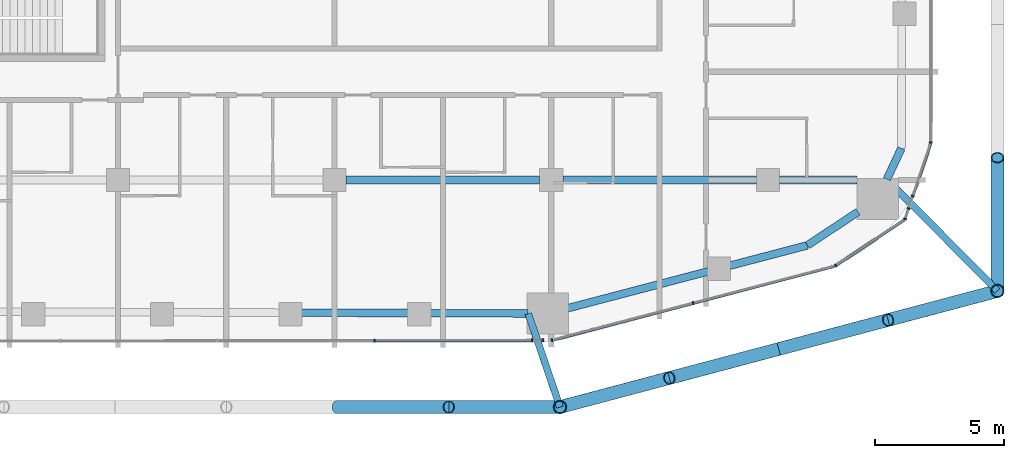
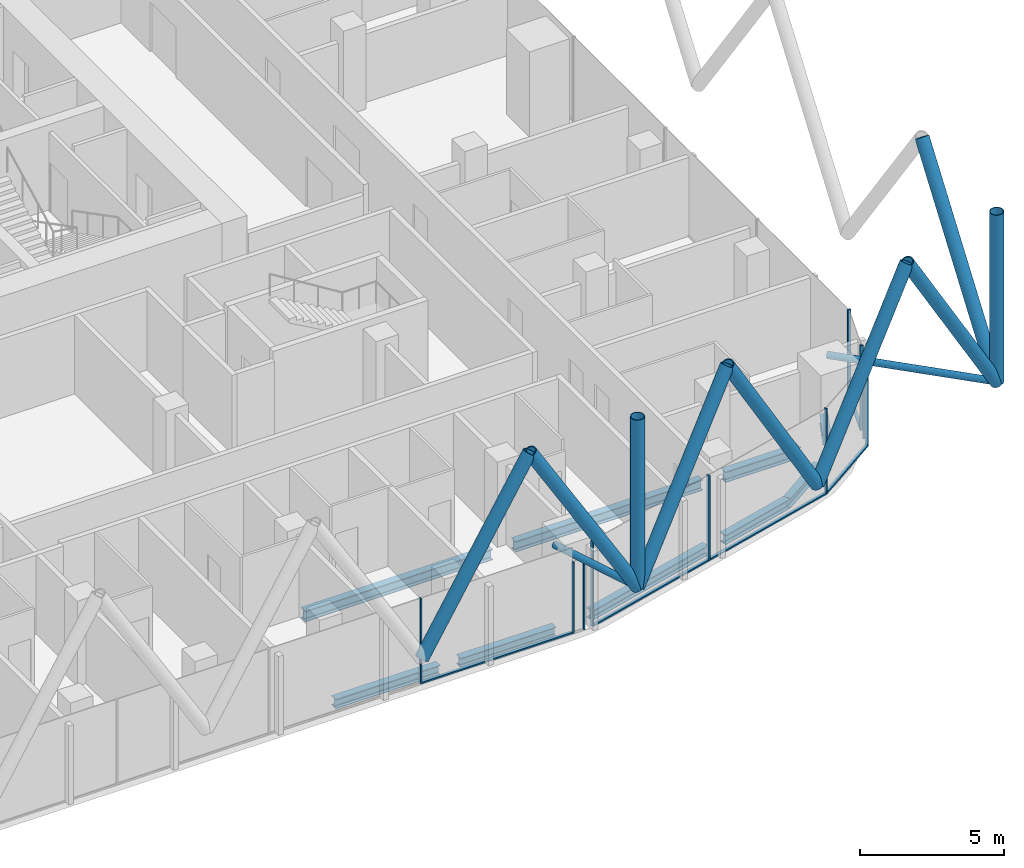
# One storey, part 6 of 33: 26 members, 9 beams, 8 elements without a shape of their own.
"""IFC4 building model written with IfcOpenShell, lengths in metres."""

from ifc_helpers import new_model, si_unit, direction, frame, origin, origin_2d, place, context, subcontext, project, spatial, rectangle, hollow_circle, i_section, extrude, material, layer, layer_set, material_profile, profile_set, type_object, element, aggregate, save


model = new_model("IFC4")

# Units and contexts
model_context = context("Model", 3, precision=1e-05, world=origin(), true_north=direction((0.0, 1.0)))
body_context = subcontext(model_context, "Body", "Model", "MODEL_VIEW")
ifc_project = project(units=[si_unit("LENGTHUNIT", "METRE"), si_unit("AREAUNIT", "SQUARE_METRE"), si_unit("VOLUMEUNIT", "CUBIC_METRE"), si_unit("PLANEANGLEUNIT", "RADIAN"), si_unit("MASSUNIT", "GRAM", prefix="KILO")], contexts=[model_context])

# Site, building, storey
site_placement = place(None, origin())
site = spatial("IfcSite", under=ifc_project, at=site_placement, CompositionType="ELEMENT")
building_placement = place(site_placement, origin())
building = spatial("IfcBuilding", under=site, at=building_placement, Name="Marenta Gate Hotel Tower", CompositionType="ELEMENT")
storey_placement = place(building_placement, frame((0.0, 0.0, 108.5)))
storey = spatial("IfcBuildingStorey", under=building, at=storey_placement, Name="L23", CompositionType="ELEMENT", Elevation=108.5)

# Members
ifc_material_1 = material(Name="Steel S355J2W", Category="steel")
ifc_material_profile_1 = material_profile(ifc_material_1, hollow_circle(Radius=0.25390625, WallThickness=0.02490234375, at=origin_2d()), Name="CHS 508x25")
ifc_profile_set_1 = profile_set([ifc_material_profile_1], Name="Steel S355J2W")
member_type_1 = type_object("IfcMemberType", Name="Diagrid corner post Z2 CHS 508x25", PredefinedType="POST", material=ifc_profile_set_1)
for number, where, z_axis, x_axis, name in (
    (1, (29.89990234375, -21.10009765625, 3.139892578125), (0.0, 0.0, 1.0), (1.0, 0.0, 0.0), "L23-DR-2"),
    (2, (12.93896484375, -25.60009765625, 3.139892578125), (0.0, 0.0, 1.0), (1.0, 0.0, 0.0), "L23-DR-3"),
):
    element("IfcMember", number, at=place(storey_placement, frame(where, z_axis=z_axis, x_axis=x_axis)), inside=storey, type_object=member_type_1, Name=name, PredefinedType="POST", context=body_context, shape_type="SweptSolid", body=[
        extrude(hollow_circle(Radius=0.25390625, WallThickness=0.02490234375, at=origin_2d()), origin(), (0.0, 0.0, 1.0), 7.2001953125),
    ])
ifc_material_2 = material(Name="Steel S355J2W", Category="steel")
ifc_material_profile_2 = material_profile(ifc_material_2, hollow_circle(Radius=0.25390625, WallThickness=0.0400390625, at=origin_2d()), Name="CHS 508x40")
ifc_profile_set_2 = profile_set([ifc_material_profile_2], Name="Steel S355J2W")
member_type_2 = type_object("IfcMemberType", Name="Diagrid diagonal Z2 CHS 508x40", PredefinedType="BRACE", material=ifc_profile_set_2)
member_1_placement = place(storey_placement, frame((29.89990234375, -21.10009765625, 3.139892578125), z_axis=(0.0, 0.583247791947, 0.812294289767), x_axis=(-1.0, 0.0, 0.0)))
element("IfcMember", 3, at=member_1_placement, inside=storey, type_object=member_type_2, Name="L23-DG-10", PredefinedType="BRACE", context=body_context, shape_type="SweptSolid", body=[
    extrude(hollow_circle(Radius=0.25390625, WallThickness=0.0400390625, at=origin_2d()), origin(), (0.0, 0.0, 1.0), 8.864013671875),
])
member_2_placement = place(storey_placement, frame((29.89990234375, -21.10009765625, 3.139892578125), z_axis=(-0.502889949368, -0.133432192474, 0.853989197142), x_axis=(0.256456982503, -0.966555645644, 0.0)))
element("IfcMember", 4, at=member_2_placement, inside=storey, type_object=member_type_2, Name="L23-DG-11", PredefinedType="BRACE", context=body_context, shape_type="SweptSolid", body=[
    extrude(hollow_circle(Radius=0.25390625, WallThickness=0.0400390625, at=origin_2d()), origin(), (0.0, 0.0, 1.0), 8.43115234375),
])
for number, where, z_axis, x_axis, name in (
    (5, (21.41943359375, -23.35009765625, 3.139892578125), (0.502933214587, 0.13342830634, 0.853964325211), (-0.256429393985, 0.966562965306, 0.0), "L23-DG-12"),
    (6, (21.41943359375, -23.35009765625, 3.139892578125), (-0.50291158245, -0.13343024942, 0.853976761263), (0.256443187528, -0.96655930577, 0.0), "L23-DG-13"),
    (7, (12.93896484375, -25.60009765625, 3.139892578125), (0.50291158245, 0.13343024942, 0.853976761263), (-0.256443187528, 0.96655930577, 0.0), "L23-DG-14"),
):
    element("IfcMember", number, at=place(storey_placement, frame(where, z_axis=z_axis, x_axis=x_axis)), inside=storey, type_object=member_type_2, Name=name, PredefinedType="BRACE", context=body_context, shape_type="SweptSolid", body=[
        extrude(hollow_circle(Radius=0.25390625, WallThickness=0.0400390625, at=origin_2d()), origin(), (0.0, 0.0, 1.0), 8.431396484375),
    ])
for number, where, z_axis, x_axis, name in (
    (8, (12.93896484375, -25.60009765625, 3.139892578125), (-0.513871079492, 0.0, 0.857867421961), (0.0, -1.0, 0.0), "L23-DG-15"),
    (9, (4.31298828125, -25.60009765625, 3.139892578125), (0.513871079492, 0.0, 0.857867421961), (0.0, 1.0, 0.0), "L23-DG-16"),
):
    element("IfcMember", number, at=place(storey_placement, frame(where, z_axis=z_axis, x_axis=x_axis)), inside=storey, type_object=member_type_2, Name=name, PredefinedType="BRACE", context=body_context, shape_type="SweptSolid", body=[
        extrude(hollow_circle(Radius=0.25390625, WallThickness=0.0400390625, at=origin_2d()), origin(), (0.0, 0.0, 1.0), 8.39306640625),
    ])

# Beams
ifc_material_3 = material(Name="Steel S355", Category="steel")
ifc_material_profile_3 = material_profile(ifc_material_3, i_section(OverallWidth=0.300048828125, OverallDepth=0.39990234375, WebThickness=0.013427734375, FlangeThickness=0.02392578125, FilletRadius=0.027099609375, at=origin_2d()), Name="HEB 400")
ifc_profile_set_3 = profile_set([ifc_material_profile_3], Name="Steel S355")
beam_type_1 = type_object("IfcBeamType", Name="Edge beam HEB 400", PredefinedType="SPANDREL", material=ifc_profile_set_3)
beam_1_placement = place(storey_placement, frame((26.175048828125, -15.567138671875, -0.4599609375), z_axis=(-0.423207780269, -0.906032656541, 0.0), x_axis=(0.906032656541, -0.423207780269, 0.0)))
element("IfcBeam", 10, at=beam_1_placement, inside=storey, type_object=beam_type_1, Name="L23-EB-28", PredefinedType="SPANDREL", context=body_context, shape_type="SweptSolid", body=[
    extrude(i_section(OverallWidth=0.300048828125, OverallDepth=0.39990234375, WebThickness=0.013427734375, FlangeThickness=0.02392578125, FilletRadius=0.027099609375, at=origin_2d()), origin(), (0.0, 0.0, 1.0), 1.326904296875),
])
beam_2_placement = place(storey_placement, frame((24.496337890625, -18.0322265625, -0.4599609375), z_axis=(-0.834496060599, -0.551013906217, 0.0), x_axis=(0.551013906217, -0.834496060599, 0.0)))
element("IfcBeam", 11, at=beam_2_placement, inside=storey, type_object=beam_type_1, Name="L23-EB-29", PredefinedType="SPANDREL", context=body_context, shape_type="SweptSolid", body=[
    extrude(i_section(OverallWidth=0.300048828125, OverallDepth=0.39990234375, WebThickness=0.013427734375, FlangeThickness=0.02392578125, FilletRadius=0.027099609375, at=origin_2d()), origin(), (0.0, 0.0, 1.0), 2.357177734375),
])
beam_3_placement = place(storey_placement, frame((22.529296875, -19.3310546875, -0.4599609375), z_axis=(-0.967224706208, -0.25392197168, 0.0), x_axis=(0.25392197168, -0.967224706208, 0.0)))
element("IfcBeam", 12, at=beam_3_placement, inside=storey, type_object=beam_type_1, Name="L23-EB-30", PredefinedType="SPANDREL", context=body_context, shape_type="SweptSolid", body=[
    extrude(i_section(OverallWidth=0.300048828125, OverallDepth=0.39990234375, WebThickness=0.013427734375, FlangeThickness=0.02392578125, FilletRadius=0.027099609375, at=origin_2d()), origin(), (0.0, 0.0, 1.0), 3.11328125),
])
beam_4_placement = place(storey_placement, frame((18.695556640625, -20.33740234375, -0.4599609375), z_axis=(-0.96723321901, -0.253889542999, 0.0), x_axis=(0.253889542999, -0.96723321901, 0.0)))
element("IfcBeam", 13, at=beam_4_placement, inside=storey, type_object=beam_type_1, Name="L23-EB-31", PredefinedType="SPANDREL", context=body_context, shape_type="SweptSolid", body=[
    extrude(i_section(OverallWidth=0.300048828125, OverallDepth=0.39990234375, WebThickness=0.013427734375, FlangeThickness=0.02392578125, FilletRadius=0.027099609375, at=origin_2d()), origin(), (0.0, 0.0, 1.0), 5.6533203125),
])
beam_5_placement = place(storey_placement, frame((11.706298828125, -21.97021484375, -0.4599609375), z_axis=(-0.999994883969, 0.003198755307, 0.0), x_axis=(-0.003198755307, -0.999994883969, 0.0)))
element("IfcBeam", 14, at=beam_5_placement, inside=storey, type_object=beam_type_1, Name="L23-EB-32", PredefinedType="SPANDREL", context=body_context, shape_type="SweptSolid", body=[
    extrude(i_section(OverallWidth=0.300048828125, OverallDepth=0.39990234375, WebThickness=0.013427734375, FlangeThickness=0.02392578125, FilletRadius=0.027099609375, at=origin_2d()), origin(), (0.0, 0.0, 1.0), 3.816162109375),
])
beam_6_placement = place(storey_placement, frame((7.070068359375, -21.955322265625, -0.4599609375), z_axis=(-0.999994807487, 0.003222576575, 0.0), x_axis=(-0.003222576575, -0.999994807487, 0.0)))
element("IfcBeam", 15, at=beam_6_placement, inside=storey, type_object=beam_type_1, Name="L23-EB-33", PredefinedType="SPANDREL", context=body_context, shape_type="SweptSolid", body=[
    extrude(i_section(OverallWidth=0.300048828125, OverallDepth=0.39990234375, WebThickness=0.013427734375, FlangeThickness=0.02392578125, FilletRadius=0.027099609375, at=origin_2d()), origin(), (0.0, 0.0, 1.0), 4.166748046875),
])

# Members
ifc_material_4 = material(Name="Steel S355J2W", Category="steel")
ifc_material_profile_4 = material_profile(ifc_material_4, hollow_circle(Radius=0.136474609375, WallThickness=0.012451171875, at=origin_2d()), Name="CHS 273x12.5")
ifc_profile_set_4 = profile_set([ifc_material_profile_4], Name="Steel S355J2W")
member_type_3 = type_object("IfcMemberType", Name="Floor tie CHS 273x12.5", PredefinedType="STRUT", material=ifc_profile_set_4)
member_3_placement = place(storey_placement, frame((29.89990234375, -21.10009765625, 3.139892578125), z_axis=(-0.703467207322, 0.710727717359, 0.0), x_axis=(-0.710727717359, -0.703467207322, 0.0)))
element("IfcMember", 16, at=member_3_placement, inside=storey, type_object=member_type_3, Name="L23-DR-8", PredefinedType="STRUT", context=body_context, shape_type="SweptSolid", body=[
    extrude(hollow_circle(Radius=0.136474609375, WallThickness=0.012451171875, at=origin_2d()), origin(), (0.0, 0.0, 1.0), 6.086181640625),
])
member_4_placement = place(storey_placement, frame((12.93896484375, -25.60009765625, 3.139892578125), z_axis=(-0.321582426358, 0.94688158872, 0.0), x_axis=(-0.94688158872, -0.321582426358, 0.0)))
element("IfcMember", 17, at=member_4_placement, inside=storey, type_object=member_type_3, Name="L23-DR-9", PredefinedType="STRUT", context=body_context, shape_type="SweptSolid", body=[
    extrude(hollow_circle(Radius=0.136474609375, WallThickness=0.012451171875, at=origin_2d()), origin(), (0.0, 0.0, 1.0), 3.826171875),
])

# Beams
ifc_material_5 = material(Name="Steel S355", Category="steel")
ifc_material_profile_5 = material_profile(ifc_material_5, i_section(OverallWidth=0.300048828125, OverallDepth=0.449951171875, WebThickness=0.013916015625, FlangeThickness=0.02587890625, FilletRadius=0.027099609375, at=origin_2d()), Name="HEB 450")
ifc_profile_set_5 = profile_set([ifc_material_profile_5], Name="Steel S355")
beam_type_2 = type_object("IfcBeamType", Name="Girder HEB 450", PredefinedType="BEAM", material=ifc_profile_set_5)
for number, where, z_axis, x_axis, name in (
    (18, (4.64990234375, -16.800048828125, -0.485107421875), (1.0, 0.0, 0.0), (0.0, 1.0, 0.0), "L23-GD-5"),
    (19, (13.050048828125, -16.800048828125, -0.485107421875), (1.0, 0.0, 0.0), (0.0, 1.0, 0.0), "L23-GD-6"),
):
    element("IfcBeam", number, at=place(storey_placement, frame(where, z_axis=z_axis, x_axis=x_axis)), inside=storey, type_object=beam_type_2, Name=name, PredefinedType="BEAM", context=body_context, shape_type="SweptSolid", body=[
        extrude(i_section(OverallWidth=0.300048828125, OverallDepth=0.449951171875, WebThickness=0.013916015625, FlangeThickness=0.02587890625, FilletRadius=0.027099609375, at=origin_2d()), origin(), (0.0, 0.0, 1.0), 7.5),
    ])
beam_7_placement = place(storey_placement, frame((21.449951171875, -16.800048828125, -0.485107421875), z_axis=(1.0, 0.0, 0.0), x_axis=(0.0, 1.0, 0.0)))
element("IfcBeam", 20, at=beam_7_placement, inside=storey, type_object=beam_type_2, Name="L23-GD-7", PredefinedType="BEAM", context=body_context, shape_type="SweptSolid", body=[
    extrude(i_section(OverallWidth=0.300048828125, OverallDepth=0.449951171875, WebThickness=0.013916015625, FlangeThickness=0.02587890625, FilletRadius=0.027099609375, at=origin_2d()), origin(), (0.0, 0.0, 1.0), 3.012939453125),
])

# Curtain wall, member
ifc_material_6 = material(Name="Tinted insulated glass in bronze anodised frame", Category="glass")
ifc_layer = layer(ifc_material_6, 0.1201171875)
ifc_layer_set = layer_set([ifc_layer], Name="Tinted insulated glass in bronze anodised frame")
curtain_wall_type = type_object("IfcCurtainWallType", Name="Tower unitised curtain wall CW1", PredefinedType="NOTDEFINED", material=ifc_layer_set)
curtain_wall_1_placement = place(storey_placement, origin())
curtain_wall_1 = element("IfcCurtainWall", 21, at=curtain_wall_1_placement, inside=storey, type_object=curtain_wall_type, Name="CW1 run G12", PredefinedType="NOTDEFINED")
ifc_material_7 = material(Name="Bronze anodised aluminium", Category="aluminium")
ifc_material_profile_6 = material_profile(ifc_material_7, rectangle(XDim=0.1201171875, YDim=0.06005859375, at=origin_2d()), Name="Mullion CW1 60x120 bronze anodised aluminium")
ifc_profile_set_6 = profile_set([ifc_material_profile_6], Name="Bronze anodised aluminium")
member_type_4 = type_object("IfcMemberType", Name="Mullion CW1 60x120 bronze anodised aluminium", PredefinedType="MULLION", material=ifc_profile_set_6)
member_5_placement = place(storey_placement, frame((5.73974609375, -23.022705078125, 0.0), z_axis=(0.0, 0.0, 1.0), x_axis=(-0.00136470383, 0.999999068791, 0.0)))
member_5 = element("IfcMember", 22, at=member_5_placement, type_object=member_type_4, Name="CW1 mullion 4", PredefinedType="MULLION", context=body_context, shape_type="SweptSolid", body=[
    extrude(rectangle(XDim=0.1201171875, YDim=0.06005859375, at=origin_2d()), origin(), (0.0, 0.0, 1.0), 3.60009765625),
])

# Curtain wall, members
curtain_wall_2_placement = place(storey_placement, origin())
curtain_wall_2 = element("IfcCurtainWall", 23, at=curtain_wall_2_placement, inside=storey, type_object=curtain_wall_type, Name="CW1 run G13", PredefinedType="NOTDEFINED")
member_6_placement = place(storey_placement, frame((11.851806640625, -23.01416015625, 0.0), z_axis=(0.0, 0.0, 1.0), x_axis=(-0.001254704164, 0.999999212858, 0.0)))
member_6 = element("IfcMember", 24, at=member_6_placement, type_object=member_type_4, Name="CW1 mullion 1", PredefinedType="MULLION", context=body_context, shape_type="SweptSolid", body=[
    extrude(rectangle(XDim=0.1201171875, YDim=0.06005859375, at=origin_2d()), origin(), (0.0, 0.0, 1.0), 3.00048828125),
])
member_7_placement = place(storey_placement, frame((12.27001953125, -23.013671875, 0.0), z_axis=(0.0, 0.0, 1.0), x_axis=(-0.001254704164, 0.999999212858, 0.0)))
member_7 = element("IfcMember", 25, at=member_7_placement, type_object=member_type_4, Name="CW1 mullion 2", PredefinedType="MULLION", context=body_context, shape_type="SweptSolid", body=[
    extrude(rectangle(XDim=0.1201171875, YDim=0.06005859375, at=origin_2d()), origin(), (0.0, 0.0, 1.0), 3.00048828125),
])
aggregate(curtain_wall_2, [member_6, member_7])

curtain_wall_3_placement = place(storey_placement, origin())
curtain_wall_3 = element("IfcCurtainWall", 26, at=curtain_wall_3_placement, inside=storey, type_object=curtain_wall_type, Name="CW1 run G14", PredefinedType="NOTDEFINED")
member_8_placement = place(storey_placement, frame((12.626708984375, -23.005615234375, 0.0), z_axis=(0.0, 0.0, 1.0), x_axis=(-0.253374270473, 0.967368326473, 0.0)))
member_8 = element("IfcMember", 27, at=member_8_placement, type_object=member_type_4, Name="CW1 mullion 1", PredefinedType="MULLION", context=body_context, shape_type="SweptSolid", body=[
    extrude(rectangle(XDim=0.1201171875, YDim=0.06005859375, at=origin_2d()), origin(), (0.0, 0.0, 1.0), 3.60009765625),
])
member_9_placement = place(storey_placement, frame((18.102783203125, -21.571533203125, 0.0), z_axis=(0.0, 0.0, 1.0), x_axis=(-0.253374270473, 0.967368326473, 0.0)))
member_9 = element("IfcMember", 28, at=member_9_placement, type_object=member_type_4, Name="CW1 mullion 2", PredefinedType="MULLION", context=body_context, shape_type="SweptSolid", body=[
    extrude(rectangle(XDim=0.1201171875, YDim=0.06005859375, at=origin_2d()), origin(), (0.0, 0.0, 1.0), 3.60009765625),
])

# Curtain wall, member
curtain_wall_4_placement = place(storey_placement, origin())
curtain_wall_4 = element("IfcCurtainWall", 29, at=curtain_wall_4_placement, inside=storey, type_object=curtain_wall_type, Name="CW1 run G15", PredefinedType="NOTDEFINED")
member_10_placement = place(storey_placement, frame((23.632568359375, -20.113037109375, 0.0), z_axis=(0.0, 0.0, 1.0), x_axis=(-0.554016243423, 0.832505857051, 0.0)))
member_10 = element("IfcMember", 30, at=member_10_placement, type_object=member_type_4, Name="CW1 mullion 1", PredefinedType="MULLION", context=body_context, shape_type="SweptSolid", body=[
    extrude(rectangle(XDim=0.1201171875, YDim=0.06005859375, at=origin_2d()), origin(), (0.0, 0.0, 1.0), 3.60009765625),
])

curtain_wall_5_placement = place(storey_placement, origin())
curtain_wall_5 = element("IfcCurtainWall", 31, at=curtain_wall_5_placement, inside=storey, type_object=curtain_wall_type, Name="CW1 run G16", PredefinedType="NOTDEFINED")
member_11_placement = place(storey_placement, frame((26.314453125, -18.30615234375, 0.0), z_axis=(0.0, 0.0, 1.0), x_axis=(-0.946727185016, 0.322036701561, 0.0)))
member_11 = element("IfcMember", 32, at=member_11_placement, type_object=member_type_4, Name="CW1 mullion 1", PredefinedType="MULLION", context=body_context, shape_type="SweptSolid", body=[
    extrude(rectangle(XDim=0.1201171875, YDim=0.06005859375, at=origin_2d()), origin(), (0.0, 0.0, 1.0), 3.60009765625),
])
aggregate(curtain_wall_5, [member_11])

curtain_wall_6_placement = place(storey_placement, origin())
curtain_wall_6 = element("IfcCurtainWall", 33, at=curtain_wall_6_placement, inside=storey, type_object=curtain_wall_type, Name="CW1 run G17", PredefinedType="NOTDEFINED")
member_12_placement = place(storey_placement, frame((26.452392578125, -17.90087890625, 0.0), z_axis=(0.0, 0.0, 1.0), x_axis=(-0.946729383953, 0.322030237029, 0.0)))
member_12 = element("IfcMember", 34, at=member_12_placement, type_object=member_type_4, Name="CW1 mullion 1", PredefinedType="MULLION", context=body_context, shape_type="SweptSolid", body=[
    extrude(rectangle(XDim=0.1201171875, YDim=0.06005859375, at=origin_2d()), origin(), (0.0, 0.0, 1.0), 3.00048828125),
])
aggregate(curtain_wall_6, [member_12])

curtain_wall_7_placement = place(storey_placement, origin())
curtain_wall_7 = element("IfcCurtainWall", 35, at=curtain_wall_7_placement, inside=storey, type_object=curtain_wall_type, Name="CW1 run G18", PredefinedType="NOTDEFINED")
member_13_placement = place(storey_placement, frame((26.615478515625, -17.421630859375, 0.0), z_axis=(0.0, 0.0, 1.0), x_axis=(-0.946728388751, 0.322033162785, 0.0)))
member_13 = element("IfcMember", 36, at=member_13_placement, type_object=member_type_4, Name="CW1 mullion 1", PredefinedType="MULLION", context=body_context, shape_type="SweptSolid", body=[
    extrude(rectangle(XDim=0.1201171875, YDim=0.06005859375, at=origin_2d()), origin(), (0.0, 0.0, 1.0), 3.60009765625),
])

curtain_wall_8_placement = place(storey_placement, origin())
curtain_wall_8 = element("IfcCurtainWall", 37, at=curtain_wall_8_placement, inside=storey, type_object=curtain_wall_type, Name="CW1 run G19", PredefinedType="NOTDEFINED")
member_14_placement = place(storey_placement, frame((27.31396484375, -15.337890625, 0.0), z_axis=(0.0, 0.0, 1.0), x_axis=(-1.0, 0.0, 0.0)))
member_14 = element("IfcMember", 38, at=member_14_placement, type_object=member_type_4, Name="CW1 mullion 1", PredefinedType="MULLION", context=body_context, shape_type="SweptSolid", body=[
    extrude(rectangle(XDim=0.1201171875, YDim=0.06005859375, at=origin_2d()), origin(), (0.0, 0.0, 1.0), 3.60009765625),
])
aggregate(curtain_wall_8, [member_14])

# Member
ifc_material_8 = material(Name="Bronze anodised aluminium", Category="aluminium")
ifc_material_profile_7 = material_profile(ifc_material_8, rectangle(XDim=0.1201171875, YDim=0.06005859375, at=origin_2d()), Name="Transom CW1 60x120 bronze anodised aluminium")
ifc_profile_set_7 = profile_set([ifc_material_profile_7], Name="Bronze anodised aluminium")
member_type_5 = type_object("IfcMemberType", Name="Transom CW1 60x120 bronze anodised aluminium", PredefinedType="USERDEFINED", material=ifc_profile_set_7)
member_15_placement = place(storey_placement, frame((5.769775390625, -23.0224609375, 0.030029296875), z_axis=(0.999999113907, 0.001331234449, 0.0), x_axis=(-0.001331234449, 0.999999113907, 0.0)))
member_15 = element("IfcMember", 39, at=member_15_placement, type_object=member_type_5, Name="CW1 transom 4.1", ObjectType="TRANSOM", PredefinedType="USERDEFINED", context=body_context, shape_type="SweptSolid", body=[
    extrude(rectangle(XDim=0.1201171875, YDim=0.06005859375, at=origin_2d()), origin(), (0.0, 0.0, 1.0), 6.052001953125),
])

aggregate(curtain_wall_1, [member_5, member_15])

member_16_placement = place(storey_placement, frame((12.65576171875, -22.998046875, 0.030029296875), z_axis=(0.967374258372, 0.25335162174, 0.0), x_axis=(-0.25335162174, 0.967374258372, 0.0)))
member_16 = element("IfcMember", 40, at=member_16_placement, type_object=member_type_5, Name="CW1 transom 1.1", ObjectType="TRANSOM", PredefinedType="USERDEFINED", context=body_context, shape_type="SweptSolid", body=[
    extrude(rectangle(XDim=0.1201171875, YDim=0.06005859375, at=origin_2d()), origin(), (0.0, 0.0, 1.0), 5.6005859375),
])

member_17_placement = place(storey_placement, frame((18.1318359375, -21.56396484375, 0.030029296875), z_axis=(0.967364420611, 0.253389182357, 0.0), x_axis=(-0.253389182357, 0.967364420611, 0.0)))
member_17 = element("IfcMember", 41, at=member_17_placement, type_object=member_type_5, Name="CW1 transom 2.1", ObjectType="TRANSOM", PredefinedType="USERDEFINED", context=body_context, shape_type="SweptSolid", body=[
    extrude(rectangle(XDim=0.1201171875, YDim=0.06005859375, at=origin_2d()), origin(), (0.0, 0.0, 1.0), 5.66064453125),
])

aggregate(curtain_wall_3, [member_8, member_9, member_16, member_17])

member_18_placement = place(storey_placement, frame((23.657470703125, -20.096435546875, 0.030029296875), z_axis=(0.832522439521, 0.553991324565, 0.0), x_axis=(-0.553991324565, 0.832522439521, 0.0)))
member_18 = element("IfcMember", 42, at=member_18_placement, type_object=member_type_5, Name="CW1 transom 1.1", ObjectType="TRANSOM", PredefinedType="USERDEFINED", context=body_context, shape_type="SweptSolid", body=[
    extrude(rectangle(XDim=0.1201171875, YDim=0.06005859375, at=origin_2d()), origin(), (0.0, 0.0, 1.0), 3.179931640625),
])

aggregate(curtain_wall_4, [member_10, member_18])

member_19_placement = place(storey_placement, frame((26.625, -17.393310546875, 0.030029296875), z_axis=(0.322041848526, 0.94672543422, 0.0), x_axis=(-0.94672543422, 0.322041848526, 0.0)))
member_19 = element("IfcMember", 43, at=member_19_placement, type_object=member_type_5, Name="CW1 transom 1.1", ObjectType="TRANSOM", PredefinedType="USERDEFINED", context=body_context, shape_type="SweptSolid", body=[
    extrude(rectangle(XDim=0.1201171875, YDim=0.06005859375, at=origin_2d()), origin(), (0.0, 0.0, 1.0), 2.139404296875),
])

aggregate(curtain_wall_7, [member_13, member_19])

save(model, "model.ifc")
